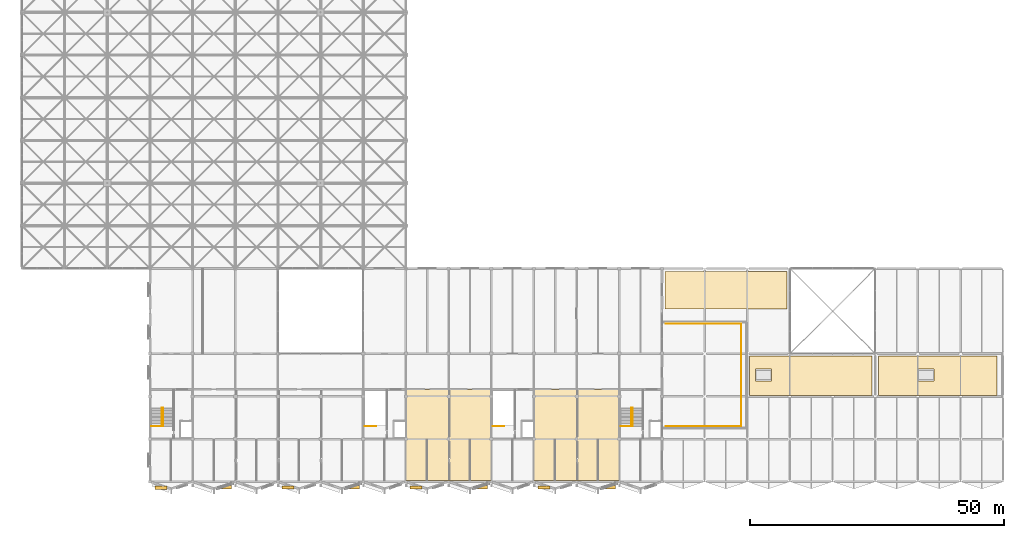
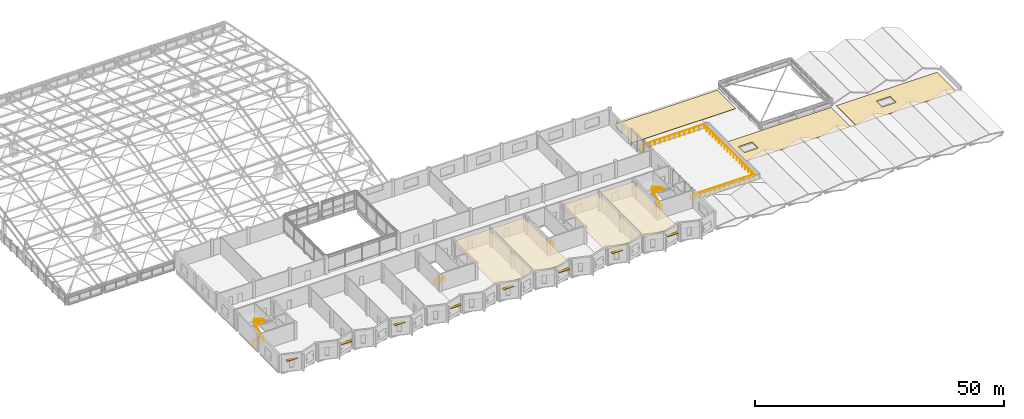
# One storey, part 81 of 81: 9 railings, 8 shading devices, 5 coverings.
"""IFC4 building model written with IfcOpenShell, lengths in metres."""

from ifc_helpers import new_model, si_unit, direction, frame, origin, origin_2d, place, context, subcontext, project, spatial, polyline, rectangle, circle, outline, extrude, material, layer, layer_set, type_object, element, save


model = new_model("IFC4")

# Units and contexts
model_context = context("Model", 3, precision=1e-05, world=origin(), true_north=direction((0.0, 1.0)))
body_context = subcontext(model_context, "Body", "Model", "MODEL_VIEW")
ifc_project = project(units=[si_unit("LENGTHUNIT", "METRE"), si_unit("AREAUNIT", "SQUARE_METRE"), si_unit("VOLUMEUNIT", "CUBIC_METRE"), si_unit("PLANEANGLEUNIT", "RADIAN"), si_unit("MASSUNIT", "GRAM", prefix="KILO")], contexts=[model_context])

# Site, building, storey
site_placement = place(None, origin())
site = spatial("IfcSite", under=ifc_project, at=site_placement, CompositionType="ELEMENT")
building_placement = place(site_placement, origin())
building = spatial("IfcBuilding", under=site, at=building_placement, Name="Qawsi Khor Wholesale Market", CompositionType="ELEMENT")
storey_placement = place(building_placement, frame((0.0, 0.0, 16.199951171875)))
storey = spatial("IfcBuildingStorey", under=building, at=storey_placement, Name="L03", CompositionType="ELEMENT", Elevation=16.199951171875)

# Shading devices
ifc_material_1 = material(Name="Anodised Aluminium Louvre", Category="aluminium")
shading_device_type = type_object("IfcShadingDeviceType", Name="Deep-Set Horizontal Sun-Shading Louvre", PredefinedType="JALOUSIE", material=ifc_material_1)
for number, where, z_axis, x_axis, name in (
    (1, (27.357666015625, -1.193359375, 3.0400390625), (0.0, 0.0, 1.0), (1.0, 0.0, 0.0), "Sun-shading louvre 029"),
    (2, (40.0380859375, -1.112548828125, 2.68994140625), (0.0, 0.0, 1.0), (1.0, 0.0, 0.0), "Sun-shading louvre 030"),
    (3, (52.35986328125, -1.122314453125, 3.0400390625), (0.0, 0.0, 1.0), (1.0, 0.0, 0.0), "Sun-shading louvre 031"),
    (4, (65.23828125, -1.112548828125, 2.68994140625), (0.0, 0.0, 1.0), (1.0, 0.0, 0.0), "Sun-shading louvre 032"),
    (5, (77.559814453125, -1.122314453125, 3.0400390625), (0.0, 0.0, 1.0), (1.0, 0.0, 0.0), "Sun-shading louvre 033"),
    (6, (90.438232421875, -1.112548828125, 2.68994140625), (0.0, 0.0, 1.0), (1.0, 0.0, 0.0), "Sun-shading louvre 034"),
    (7, (102.759765625, -1.122314453125, 3.0400390625), (0.0, 0.0, 1.0), (1.0, 0.0, 0.0), "Sun-shading louvre 035"),
    (8, (115.63818359375, -1.112548828125, 2.68994140625), (0.0, 0.0, 1.0), (1.0, 0.0, 0.0), "Sun-shading louvre 036"),
):
    element("IfcShadingDevice", number, at=place(storey_placement, frame(where, z_axis=z_axis, x_axis=x_axis)), inside=storey, type_object=shading_device_type, Name=name, PredefinedType="JALOUSIE", context=body_context, shape_type="SweptSolid", body=[
        extrude(rectangle(XDim=2.39990234375, YDim=0.64990234375, at=origin_2d()), origin(), (0.0, 0.0, 1.0), 0.1201171875),
    ])

# Coverings
ifc_material_2 = material(Name="Polymer-Modified Bitumen Membrane", Category="membrane")
ifc_layer_1 = layer(ifc_material_2, 0.050048828125, Name="Polymer-Modified Bitumen Membrane")
ifc_layer_set_1 = layer_set([ifc_layer_1], Name="Polymer-Modified Bitumen Membrane")
covering_type_1 = type_object("IfcCoveringType", Name="Elastomeric Cool-Roof Waterproofing Membrane", PredefinedType="ROOFING", material=ifc_layer_set_1)
covering_1_placement = place(storey_placement, origin())
element("IfcCovering", 9, at=covering_1_placement, inside=storey, type_object=covering_type_1, Name="Roof covering 3", PredefinedType="ROOFING", context=body_context, shape_type="SweptSolid", body=[
    extrude(outline(polyline([(143.199951171875, 24.800048828125), (167.39990234375, 24.800048828125), (167.39990234375, 17.0), (143.199951171875, 17.0), (143.199951171875, 24.800048828125)]), holes=[polyline([(147.60009765625, 19.800048828125), (147.60009765625, 22.199951171875), (144.39990234375, 22.199951171875), (144.39990234375, 19.800048828125), (147.60009765625, 19.800048828125)])]), origin(), (0.0, 0.0, 1.0), 0.050048828125),
])
covering_2_placement = place(storey_placement, origin())
element("IfcCovering", 10, at=covering_2_placement, inside=storey, type_object=covering_type_1, Name="Roof covering 4", PredefinedType="ROOFING", context=body_context, shape_type="SweptSolid", body=[
    extrude(outline(polyline([(168.60009765625, 24.800048828125), (192.0, 24.800048828125), (192.0, 17.0), (168.60009765625, 17.0), (168.60009765625, 24.800048828125)]), holes=[polyline([(179.60009765625, 19.800048828125), (179.60009765625, 22.199951171875), (176.39990234375, 22.199951171875), (176.39990234375, 19.800048828125), (179.60009765625, 19.800048828125)])]), origin(), (0.0, 0.0, 1.0), 0.050048828125),
])
ifc_material_3 = material(Name="Antimicrobial Coated Steel Ceiling", Category="steel")
ifc_layer_2 = layer(ifc_material_3, 0.048095703125, Name="Antimicrobial Coated Steel Ceiling")
ifc_layer_set_2 = layer_set([ifc_layer_2], Name="Antimicrobial Coated Steel Ceiling")
covering_type_2 = type_object("IfcCoveringType", Name="Hygienic Washable Lab & Kitchen Ceiling", PredefinedType="CEILING", material=ifc_layer_set_2)
covering_3_placement = place(storey_placement, frame((0.0, 0.0, 3.199951171875)))
element("IfcCovering", 11, at=covering_3_placement, inside=storey, type_object=covering_type_2, Name="Suspended ceiling 8", PredefinedType="CEILING", context=body_context, shape_type="SweptSolid", body=[
    extrude(outline(polyline([(100.800048828125, 0.199951171875), (117.60009765625, 0.199951171875), (117.60009765625, 18.199951171875), (100.800048828125, 18.199951171875), (100.800048828125, 0.199951171875)])), origin(), (0.0, 0.0, 1.0), 0.048095703125),
])
ifc_material_4 = material(Name="Perforated Powder-Coated Aluminium Ceiling", Category="aluminium")
ifc_layer_3 = layer(ifc_material_4, 0.034912109375, Name="Perforated Powder-Coated Aluminium Ceiling")
ifc_layer_set_3 = layer_set([ifc_layer_3], Name="Perforated Powder-Coated Aluminium Ceiling")
covering_type_3 = type_object("IfcCoveringType", Name="Perforated Acoustic Metal Tile Ceiling", PredefinedType="CEILING", material=ifc_layer_set_3)
covering_4_placement = place(storey_placement, frame((0.0, 0.0, 3.199951171875)))
element("IfcCovering", 12, at=covering_4_placement, inside=storey, type_object=covering_type_3, Name="Suspended ceiling 7", PredefinedType="CEILING", context=body_context, shape_type="SweptSolid", body=[
    extrude(outline(polyline([(75.60009765625, 0.199951171875), (92.39990234375, 0.199951171875), (92.39990234375, 18.199951171875), (75.60009765625, 18.199951171875), (75.60009765625, 0.199951171875)])), origin(), (0.0, 0.0, 1.0), 0.03515625),
])

# Railings
ifc_material_5 = material(Name="Brushed Stainless Steel 316", Category="steel")
railing_type_1 = type_object("IfcRailingType", Name="Stair & Void Guard Balustrade 1120", PredefinedType="BALUSTRADE", material=ifc_material_5)
for number, where, name in (
    (13, (25.5, 10.89990234375, 0.0), "Stairwell arrival guard ST-01 L03"),
    (14, (67.5, 10.89990234375, 0.0), "Stairwell arrival guard ST-02 L03"),
    (15, (92.699951171875, 10.89990234375, 0.0), "Stairwell arrival guard ST-03 L03"),
    (16, (117.89990234375, 10.89990234375, 0.0), "Stairwell arrival guard ST-04 L03"),
):
    element("IfcRailing", number, at=place(storey_placement, frame(where)), inside=storey, type_object=railing_type_1, Name=name, PredefinedType="BALUSTRADE", context=body_context, shape_type="SweptSolid", body=[
        extrude(circle(Radius=0.02392578125, at=origin_2d()), frame((0.0, 0.0, 1.09619140625), z_axis=(1.0, 0.0, 0.0), x_axis=(0.0, 1.0, 0.0)), (0.0, 0.0, 1.0), 2.280029296875),
        extrude(circle(Radius=0.02099609375, at=origin_2d()), origin(), (0.0, 0.0, 1.0), 1.072021484375),
        extrude(circle(Radius=0.02099609375, at=origin_2d()), frame((1.14013671875, 0.0, 0.0)), (0.0, 0.0, 1.0), 1.072021484375),
        extrude(circle(Radius=0.02099609375, at=origin_2d()), frame((2.280029296875, 0.0, 0.0)), (0.0, 0.0, 1.0), 1.072021484375),
    ])
railing_type_2 = type_object("IfcRailingType", Name="Stair Pitch Handrail 920", PredefinedType="HANDRAIL", material=ifc_material_5)
railing_1_placement = place(storey_placement, frame((27.5400390625, 10.919921875, 0.16064453125)))
element("IfcRailing", 17, at=railing_1_placement, inside=storey, type_object=railing_type_2, Name="Stair handrail ST-01 L03 F1", PredefinedType="HANDRAIL", context=body_context, shape_type="SweptSolid", body=[
    extrude(circle(Radius=0.02392578125, at=origin_2d()), frame((0.0, 0.0, 0.89599609375), z_axis=(0.0, 0.867289372828, 0.497804322781), x_axis=(-1.0, 0.0, 0.0)), (0.0, 0.0, 1.0), 4.197021484375),
    extrude(circle(Radius=0.02099609375, at=origin_2d()), origin(), (0.0, 0.0, 1.0), 0.871826171875),
    extrude(circle(Radius=0.02099609375, at=origin_2d()), frame((0.0, 0.91015625, 0.5224609375)), (0.0, 0.0, 1.0), 0.871826171875),
    extrude(circle(Radius=0.02099609375, at=origin_2d()), frame((0.0, 1.820068359375, 1.044677734375)), (0.0, 0.0, 1.0), 0.871826171875),
    extrude(circle(Radius=0.02099609375, at=origin_2d()), frame((0.0, 2.72998046875, 1.56689453125)), (0.0, 0.0, 1.0), 0.871826171875),
    extrude(circle(Radius=0.02099609375, at=origin_2d()), frame((0.0, 3.64013671875, 2.08935546875)), (0.0, 0.0, 1.0), 0.871826171875),
])
railing_2_placement = place(storey_placement, frame((27.800048828125, 14.56005859375, 2.41064453125)))
element("IfcRailing", 18, at=railing_2_placement, inside=storey, type_object=railing_type_2, Name="Stair handrail ST-01 L03 F2", PredefinedType="HANDRAIL", context=body_context, shape_type="SweptSolid", body=[
    extrude(circle(Radius=0.02392578125, at=origin_2d()), frame((0.0, 0.0, 0.89599609375), z_axis=(0.0, -0.867289372828, 0.497804322781), x_axis=(1.0, 0.0, 0.0)), (0.0, 0.0, 1.0), 4.197021484375),
    extrude(circle(Radius=0.02099609375, at=origin_2d()), origin(), (0.0, 0.0, 1.0), 0.871826171875),
    extrude(circle(Radius=0.02099609375, at=origin_2d()), frame((0.0, -0.91015625, 0.5224609375)), (0.0, 0.0, 1.0), 0.871826171875),
    extrude(circle(Radius=0.02099609375, at=origin_2d()), frame((0.0, -1.820068359375, 1.044677734375)), (0.0, 0.0, 1.0), 0.871826171875),
    extrude(circle(Radius=0.02099609375, at=origin_2d()), frame((0.0, -2.72998046875, 1.56689453125)), (0.0, 0.0, 1.0), 0.871826171875),
    extrude(circle(Radius=0.02099609375, at=origin_2d()), frame((0.0, -3.64013671875, 2.08935546875)), (0.0, 0.0, 1.0), 0.871826171875),
])
railing_3_placement = place(storey_placement, frame((119.93994140625, 10.919921875, 0.16064453125)))
element("IfcRailing", 19, at=railing_3_placement, inside=storey, type_object=railing_type_2, Name="Stair handrail ST-04 L03 F1", PredefinedType="HANDRAIL", context=body_context, shape_type="SweptSolid", body=[
    extrude(circle(Radius=0.02392578125, at=origin_2d()), frame((0.0, 0.0, 0.89599609375), z_axis=(0.0, 0.867289372828, 0.497804322781), x_axis=(-1.0, 0.0, 0.0)), (0.0, 0.0, 1.0), 4.197021484375),
    extrude(circle(Radius=0.02099609375, at=origin_2d()), origin(), (0.0, 0.0, 1.0), 0.871826171875),
    extrude(circle(Radius=0.02099609375, at=origin_2d()), frame((0.0, 0.91015625, 0.5224609375)), (0.0, 0.0, 1.0), 0.871826171875),
    extrude(circle(Radius=0.02099609375, at=origin_2d()), frame((0.0, 1.820068359375, 1.044677734375)), (0.0, 0.0, 1.0), 0.871826171875),
    extrude(circle(Radius=0.02099609375, at=origin_2d()), frame((0.0, 2.72998046875, 1.56689453125)), (0.0, 0.0, 1.0), 0.871826171875),
    extrude(circle(Radius=0.02099609375, at=origin_2d()), frame((0.0, 3.64013671875, 2.08935546875)), (0.0, 0.0, 1.0), 0.871826171875),
])
railing_4_placement = place(storey_placement, frame((120.199951171875, 14.56005859375, 2.41064453125)))
element("IfcRailing", 20, at=railing_4_placement, inside=storey, type_object=railing_type_2, Name="Stair handrail ST-04 L03 F2", PredefinedType="HANDRAIL", context=body_context, shape_type="SweptSolid", body=[
    extrude(circle(Radius=0.02392578125, at=origin_2d()), frame((0.0, 0.0, 0.89599609375), z_axis=(0.0, -0.867289372828, 0.497804322781), x_axis=(1.0, 0.0, 0.0)), (0.0, 0.0, 1.0), 4.197021484375),
    extrude(circle(Radius=0.02099609375, at=origin_2d()), origin(), (0.0, 0.0, 1.0), 0.871826171875),
    extrude(circle(Radius=0.02099609375, at=origin_2d()), frame((0.0, -0.91015625, 0.5224609375)), (0.0, 0.0, 1.0), 0.871826171875),
    extrude(circle(Radius=0.02099609375, at=origin_2d()), frame((0.0, -1.820068359375, 1.044677734375)), (0.0, 0.0, 1.0), 0.871826171875),
    extrude(circle(Radius=0.02099609375, at=origin_2d()), frame((0.0, -2.72998046875, 1.56689453125)), (0.0, 0.0, 1.0), 0.871826171875),
    extrude(circle(Radius=0.02099609375, at=origin_2d()), frame((0.0, -3.64013671875, 2.08935546875)), (0.0, 0.0, 1.0), 0.871826171875),
])

# Covering
ifc_material_6 = material(Name="Standing-Seam Aluminium-Zinc Roofing", Category="aluminium")
ifc_layer_4 = layer(ifc_material_6, 0.080078125, Name="Standing-Seam Aluminium-Zinc Roofing")
ifc_layer_set_4 = layer_set([ifc_layer_4], Name="Standing-Seam Aluminium-Zinc Roofing")
covering_type_4 = type_object("IfcCoveringType", Name="Standing-Seam Insulated Metal Roofing", PredefinedType="ROOFING", material=ifc_layer_set_4)
covering_5_placement = place(storey_placement, origin())
element("IfcCovering", 21, at=covering_5_placement, inside=storey, type_object=covering_type_4, Name="Roof covering 5", PredefinedType="ROOFING", context=body_context, shape_type="SweptSolid", body=[
    extrude(outline(polyline([(126.60009765625, 34.0), (150.60009765625, 34.0), (150.60009765625, 41.39990234375), (126.60009765625, 41.39990234375), (126.60009765625, 34.0)])), origin(), (0.0, 0.0, 1.0), 0.080078125),
])

# Railing
ifc_material_7 = material(Name="Brushed Stainless Steel 316 & Laminated Glass", Category="steel")
railing_type_3 = type_object("IfcRailingType", Name="Terrace Perimeter Guard Balustrade 1180", PredefinedType="BALUSTRADE", material=ifc_material_7)
railing_5_placement = place(storey_placement, frame((126.800048828125, 10.89990234375, 0.0)))
element("IfcRailing", 22, at=railing_5_placement, inside=storey, type_object=railing_type_3, Name="Guard balustrade GRD-TER-L03-EAST", PredefinedType="BALUSTRADE", context=body_context, shape_type="SweptSolid", body=[
    extrude(circle(Radius=0.02392578125, at=origin_2d()), frame((0.0, 0.0, 1.15576171875), z_axis=(1.0, 0.0, 0.0), x_axis=(0.0, 1.0, 0.0)), (0.0, 0.0, 1.0), 14.800048828125),
    extrude(circle(Radius=0.02392578125, at=origin_2d()), frame((14.800048828125, 0.0, 1.15576171875), z_axis=(0.0, 1.0, 0.0), x_axis=(-1.0, 0.0, 0.0)), (0.0, 0.0, 1.0), 20.2001953125),
    extrude(circle(Radius=0.02392578125, at=origin_2d()), frame((14.800048828125, 20.2001953125, 1.15576171875), z_axis=(-1.0, 0.0, 0.0), x_axis=(0.0, -1.0, 0.0)), (0.0, 0.0, 1.0), 14.800048828125),
    extrude(circle(Radius=0.02099609375, at=origin_2d()), origin(), (0.0, 0.0, 1.0), 1.1318359375),
    extrude(circle(Radius=0.02099609375, at=origin_2d()), frame((1.138427734375, 0.0, 0.0)), (0.0, 0.0, 1.0), 1.1318359375),
    extrude(circle(Radius=0.02099609375, at=origin_2d()), frame((2.27685546875, 0.0, 0.0)), (0.0, 0.0, 1.0), 1.1318359375),
    extrude(circle(Radius=0.02099609375, at=origin_2d()), frame((3.415283203125, 0.0, 0.0)), (0.0, 0.0, 1.0), 1.1318359375),
    extrude(circle(Radius=0.02099609375, at=origin_2d()), frame((4.553955078125, 0.0, 0.0)), (0.0, 0.0, 1.0), 1.1318359375),
    extrude(circle(Radius=0.02099609375, at=origin_2d()), frame((5.6923828125, 0.0, 0.0)), (0.0, 0.0, 1.0), 1.1318359375),
    extrude(circle(Radius=0.02099609375, at=origin_2d()), frame((6.830810546875, 0.0, 0.0)), (0.0, 0.0, 1.0), 1.1318359375),
    extrude(circle(Radius=0.02099609375, at=origin_2d()), frame((7.96923828125, 0.0, 0.0)), (0.0, 0.0, 1.0), 1.1318359375),
    extrude(circle(Radius=0.02099609375, at=origin_2d()), frame((9.107666015625, 0.0, 0.0)), (0.0, 0.0, 1.0), 1.1318359375),
    extrude(circle(Radius=0.02099609375, at=origin_2d()), frame((10.24609375, 0.0, 0.0)), (0.0, 0.0, 1.0), 1.1318359375),
    extrude(circle(Radius=0.02099609375, at=origin_2d()), frame((11.384765625, 0.0, 0.0)), (0.0, 0.0, 1.0), 1.1318359375),
    extrude(circle(Radius=0.02099609375, at=origin_2d()), frame((12.523193359375, 0.0, 0.0)), (0.0, 0.0, 1.0), 1.1318359375),
    extrude(circle(Radius=0.02099609375, at=origin_2d()), frame((13.66162109375, 0.0, 0.0)), (0.0, 0.0, 1.0), 1.1318359375),
    extrude(circle(Radius=0.02099609375, at=origin_2d()), frame((14.800048828125, 0.0, 0.0)), (0.0, 0.0, 1.0), 1.1318359375),
    extrude(circle(Radius=0.02099609375, at=origin_2d()), frame((14.800048828125, 1.188232421875, 0.0)), (0.0, 0.0, 1.0), 1.1318359375),
    extrude(circle(Radius=0.02099609375, at=origin_2d()), frame((14.800048828125, 2.37646484375, 0.0)), (0.0, 0.0, 1.0), 1.1318359375),
    extrude(circle(Radius=0.02099609375, at=origin_2d()), frame((14.800048828125, 3.564697265625, 0.0)), (0.0, 0.0, 1.0), 1.1318359375),
    extrude(circle(Radius=0.02099609375, at=origin_2d()), frame((14.800048828125, 4.7529296875, 0.0)), (0.0, 0.0, 1.0), 1.1318359375),
    extrude(circle(Radius=0.02099609375, at=origin_2d()), frame((14.800048828125, 5.941162109375, 0.0)), (0.0, 0.0, 1.0), 1.1318359375),
    extrude(circle(Radius=0.02099609375, at=origin_2d()), frame((14.800048828125, 7.12939453125, 0.0)), (0.0, 0.0, 1.0), 1.1318359375),
    extrude(circle(Radius=0.02099609375, at=origin_2d()), frame((14.800048828125, 8.317626953125, 0.0)), (0.0, 0.0, 1.0), 1.1318359375),
    extrude(circle(Radius=0.02099609375, at=origin_2d()), frame((14.800048828125, 9.505859375, 0.0)), (0.0, 0.0, 1.0), 1.1318359375),
    extrude(circle(Radius=0.02099609375, at=origin_2d()), frame((14.800048828125, 10.6943359375, 0.0)), (0.0, 0.0, 1.0), 1.1318359375),
    extrude(circle(Radius=0.02099609375, at=origin_2d()), frame((14.800048828125, 11.882568359375, 0.0)), (0.0, 0.0, 1.0), 1.1318359375),
    extrude(circle(Radius=0.02099609375, at=origin_2d()), frame((14.800048828125, 13.07080078125, 0.0)), (0.0, 0.0, 1.0), 1.1318359375),
    extrude(circle(Radius=0.02099609375, at=origin_2d()), frame((14.800048828125, 14.259033203125, 0.0)), (0.0, 0.0, 1.0), 1.1318359375),
    extrude(circle(Radius=0.02099609375, at=origin_2d()), frame((14.800048828125, 15.447265625, 0.0)), (0.0, 0.0, 1.0), 1.1318359375),
    extrude(circle(Radius=0.02099609375, at=origin_2d()), frame((14.800048828125, 16.635498046875, 0.0)), (0.0, 0.0, 1.0), 1.1318359375),
    extrude(circle(Radius=0.02099609375, at=origin_2d()), frame((14.800048828125, 17.82373046875, 0.0)), (0.0, 0.0, 1.0), 1.1318359375),
    extrude(circle(Radius=0.02099609375, at=origin_2d()), frame((14.800048828125, 19.011962890625, 0.0)), (0.0, 0.0, 1.0), 1.1318359375),
    extrude(circle(Radius=0.02099609375, at=origin_2d()), frame((14.800048828125, 20.2001953125, 0.0)), (0.0, 0.0, 1.0), 1.1318359375),
    extrude(circle(Radius=0.02099609375, at=origin_2d()), frame((13.66162109375, 20.2001953125, 0.0)), (0.0, 0.0, 1.0), 1.1318359375),
    extrude(circle(Radius=0.02099609375, at=origin_2d()), frame((12.523193359375, 20.2001953125, 0.0)), (0.0, 0.0, 1.0), 1.1318359375),
    extrude(circle(Radius=0.02099609375, at=origin_2d()), frame((11.384765625, 20.2001953125, 0.0)), (0.0, 0.0, 1.0), 1.1318359375),
    extrude(circle(Radius=0.02099609375, at=origin_2d()), frame((10.24609375, 20.2001953125, 0.0)), (0.0, 0.0, 1.0), 1.1318359375),
    extrude(circle(Radius=0.02099609375, at=origin_2d()), frame((9.107666015625, 20.2001953125, 0.0)), (0.0, 0.0, 1.0), 1.1318359375),
    extrude(circle(Radius=0.02099609375, at=origin_2d()), frame((7.96923828125, 20.2001953125, 0.0)), (0.0, 0.0, 1.0), 1.1318359375),
    extrude(circle(Radius=0.02099609375, at=origin_2d()), frame((6.830810546875, 20.2001953125, 0.0)), (0.0, 0.0, 1.0), 1.1318359375),
    extrude(circle(Radius=0.02099609375, at=origin_2d()), frame((5.6923828125, 20.2001953125, 0.0)), (0.0, 0.0, 1.0), 1.1318359375),
    extrude(circle(Radius=0.02099609375, at=origin_2d()), frame((4.553955078125, 20.2001953125, 0.0)), (0.0, 0.0, 1.0), 1.1318359375),
    extrude(circle(Radius=0.02099609375, at=origin_2d()), frame((3.415283203125, 20.2001953125, 0.0)), (0.0, 0.0, 1.0), 1.1318359375),
    extrude(circle(Radius=0.02099609375, at=origin_2d()), frame((2.27685546875, 20.2001953125, 0.0)), (0.0, 0.0, 1.0), 1.1318359375),
    extrude(circle(Radius=0.02099609375, at=origin_2d()), frame((1.138427734375, 20.2001953125, 0.0)), (0.0, 0.0, 1.0), 1.1318359375),
    extrude(circle(Radius=0.02099609375, at=origin_2d()), frame((0.0, 20.2001953125, 0.0)), (0.0, 0.0, 1.0), 1.1318359375),
])

save(model, "model.ifc")
